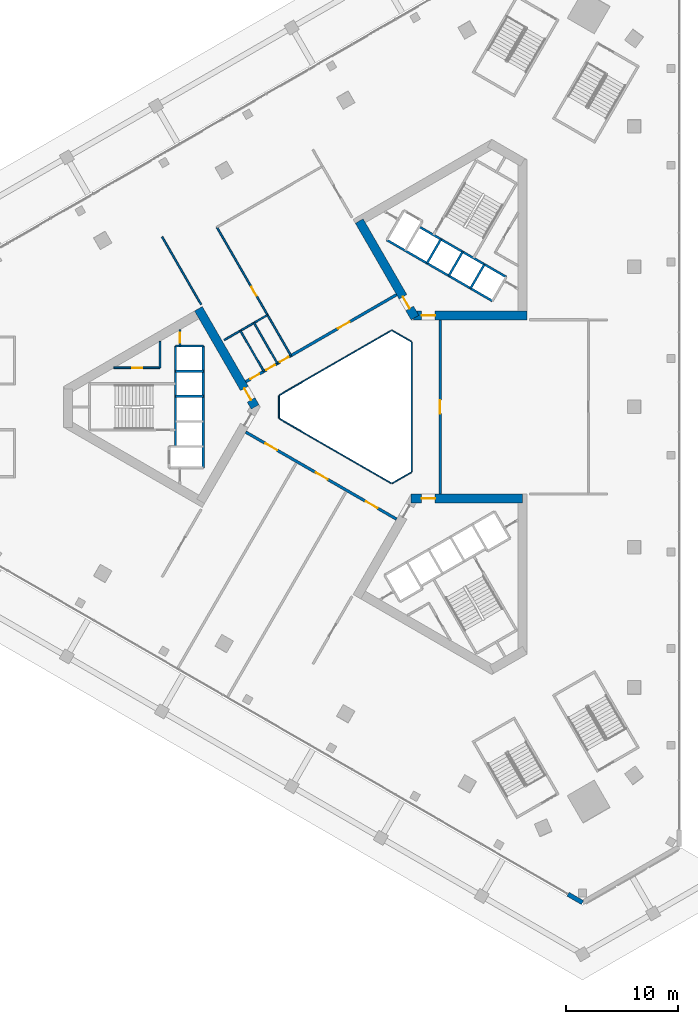
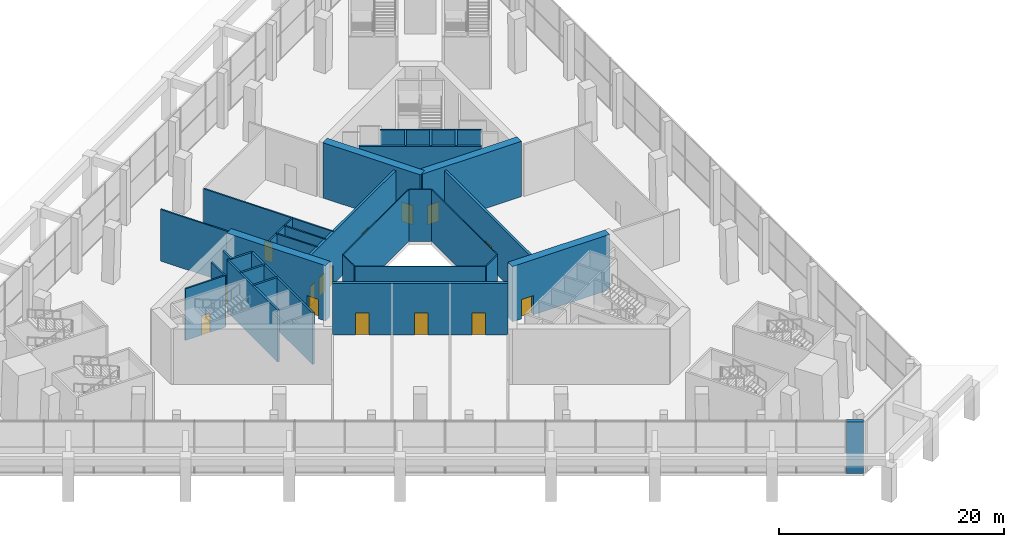
# One storey, part 27 of 51: 32 walls, 15 doors, 15 openings.
"""IFC4 building model written with IfcOpenShell, lengths in metres."""

import ifcopenshell
import ifcopenshell.guid

model = None  # the IFC model being written
_history = None  # IfcOwnerHistory: only IFC2X3 demands one
_inside = {}  # id of a spatial element -> (the spatial element, [elements in it])
_under = {}  # id of a project, library or spatial element -> (it, [spatial elements below it])
_declared = {}  # id of a project -> (the project, [libraries it declares])
_typed = {}  # id of a type object -> (the type object, [elements of that type])
_made_of = {}  # id of a material, layer set ... -> (it, [elements and type objects made of it])


def new_model(schema):
    """Start an empty IFC model of exactly this schema.

    Asked for "IFC4X3", IfcOpenShell would pick the latest addendum, in which some entities
    have other attributes; the version numbers below select the first issue.
    IFC2X3 requires an IfcOwnerHistory on every rooted entity: one is made here for all.
    """
    global model, _history
    if schema == "IFC4X3":
        model = ifcopenshell.file(schema_version=(4, 3, 0, 0))
    else:
        model = ifcopenshell.file(schema=schema)
    _inside.clear()
    _under.clear()
    _declared.clear()
    _typed.clear()
    _made_of.clear()
    _history = None
    if model.schema == "IFC2X3":
        org = make("IfcOrganization", Name="unknown")
        user = make(
            "IfcPersonAndOrganization",
            ThePerson=make("IfcPerson", FamilyName="unknown"),
            TheOrganization=org,
        )
        app = make(
            "IfcApplication",
            ApplicationDeveloper=org,
            Version="unknown",
            ApplicationFullName="unknown",
            ApplicationIdentifier="unknown",
        )
        _history = make(
            "IfcOwnerHistory",
            OwningUser=user,
            OwningApplication=app,
            ChangeAction="ADDED",
            CreationDate=0,
        )
    return model


def make(cls, **values):
    """One entity of the class cls with the attributes given. An attribute that is None is left unset."""
    return model.create_entity(
        cls, **{name: value for name, value in values.items() if value is not None}
    )


def rooted(cls, **values):
    """An entity with a GlobalId (a new one), such as an element, a storey or a relation."""
    return make(cls, GlobalId=ifcopenshell.guid.new(), OwnerHistory=_history, **values)


def si_unit(unit_type, name, prefix=None):
    """IfcSIUnit, for example si_unit("LENGTHUNIT", "METRE", prefix="MILLI")."""
    return make("IfcSIUnit", UnitType=unit_type, Prefix=prefix, Name=name)


def assignment(units):
    """IfcUnitAssignment: the units of a project."""
    return None if units is None else make("IfcUnitAssignment", Units=units)


def point(xyz):
    """IfcCartesianPoint."""
    return None if xyz is None else make("IfcCartesianPoint", Coordinates=xyz)


def direction(xyz):
    """IfcDirection."""
    return None if xyz is None else make("IfcDirection", DirectionRatios=xyz)


def frame(location, z_axis=None, x_axis=None):
    """IfcAxis2Placement3D, a coordinate frame: its origin and axes. An axis left out is left unset."""
    return make(
        "IfcAxis2Placement3D",
        Location=point(location),
        Axis=direction(z_axis),
        RefDirection=direction(x_axis),
    )


def frame_2d(location, x_axis=None):
    """IfcAxis2Placement2D, a coordinate frame in the plane: its origin and x axis."""
    return make(
        "IfcAxis2Placement2D", Location=point(location), RefDirection=direction(x_axis)
    )


def origin():
    """The frame at (0, 0, 0) with its axes left unset."""
    return frame((0.0, 0.0, 0.0))


def place(relative_to, where):
    """IfcLocalPlacement: puts the frame where relative to a parent placement (None: the world)."""
    return make(
        "IfcLocalPlacement", PlacementRelTo=relative_to, RelativePlacement=where
    )


def context(
    kind, dimensions, precision=None, world=None, true_north=None, identifier=None
):
    """IfcGeometricRepresentationContext, for example the 3D "Model" context."""
    return make(
        "IfcGeometricRepresentationContext",
        ContextIdentifier=identifier,
        ContextType=kind,
        CoordinateSpaceDimension=dimensions,
        Precision=precision,
        WorldCoordinateSystem=world,
        TrueNorth=true_north,
    )


def subcontext(parent, identifier, kind, view, scale=None):
    """IfcGeometricRepresentationSubContext, for example "Body" below "Model"."""
    return make(
        "IfcGeometricRepresentationSubContext",
        ContextIdentifier=identifier,
        ContextType=kind,
        ParentContext=parent,
        TargetScale=scale,
        TargetView=view,
    )


def project(units=None, contexts=None):
    """IfcProject with its units and contexts."""
    return rooted(
        "IfcProject",
        Name="project",
        RepresentationContexts=contexts,
        UnitsInContext=assignment(units),
    )


def spatial(cls, under=None, at=None, **own):
    """A site, building, storey or space (cls), placed at a placement, below another one or the project."""
    s = rooted(cls, ObjectPlacement=at, **own)
    if under is not None:
        _under.setdefault(under.id(), (under, []))[1].append(s)
    return s


def profile(cls, at=None, kind="AREA", **sizes):
    """A parametric profile (cls). Its sizes go by their IFC names, for example OverallWidth=200.0."""
    return make(cls, ProfileType=kind, Position=at, **sizes)


def rectangle(**sizes):
    """IfcRectangleProfileDef."""
    return profile("IfcRectangleProfileDef", **sizes)


def extrude(swept, where, along, depth):
    """IfcExtrudedAreaSolid: the profile swept, set in the frame where, extruded along a direction by depth."""
    return make(
        "IfcExtrudedAreaSolid",
        SweptArea=swept,
        Position=where,
        ExtrudedDirection=direction(along),
        Depth=depth,
    )


def shape(context_of_items, identifier, shape_type, items):
    """IfcShapeRepresentation: the items that make up one representation, for example the "Body"."""
    return make(
        "IfcShapeRepresentation",
        ContextOfItems=context_of_items,
        RepresentationIdentifier=identifier,
        RepresentationType=shape_type,
        Items=items,
    )


def material(Name=None, Category=None):
    """IfcMaterial."""
    return make("IfcMaterial", Name=Name, Category=Category)


def layer(
    of_material, thickness, ventilated=None, Name=None, Category=None, Priority=None
):
    """IfcMaterialLayer: one layer of a wall or slab, of a material (None: an air gap)."""
    return make(
        "IfcMaterialLayer",
        Material=of_material,
        LayerThickness=thickness,
        IsVentilated=ventilated,
        Name=Name,
        Category=Category,
        Priority=Priority,
    )


def layer_set(layers, Name=None):
    """IfcMaterialLayerSet."""
    return make("IfcMaterialLayerSet", MaterialLayers=layers, LayerSetName=Name)


def made_of(thing, what):
    """Note that an element or type object is made of a material, layer set ...; save() writes the relation."""
    if what is not None:
        _made_of.setdefault(what.id(), (what, []))[1].append(thing)
    return thing


def type_object(cls, material=None, **own):
    """A type object (cls), such as IfcWallType, which elements share."""
    return made_of(rooted(cls, **own), material)


def element(
    cls,
    number,
    at=None,
    inside=None,
    cuts=None,
    type_object=None,
    material=None,
    context=None,
    identifier="Body",
    shape_type=None,
    held_by="IfcProductDefinitionShape",
    body=None,
    shapes=None,
    **own,
):
    """One element of the class cls, such as IfcWall. Its Tag is "e" and its number.

    at: its placement. inside: the storey or other place that contains it. cuts: it is an
    opening in that element (IfcRelVoidsElement). A single representation is given by context,
    identifier, shape_type and body (its items); several are given by shapes. held_by: the class
    of the entity that holds the representations. save() writes the other relations.
    """
    e = rooted(cls, Tag="e%d" % number, ObjectPlacement=at, **own)
    if body is not None:
        shapes = [shape(context, identifier, shape_type, body)]
    if shapes is not None:
        e.Representation = make(held_by, Representations=shapes)
    if inside is not None:
        _inside.setdefault(inside.id(), (inside, []))[1].append(e)
    if cuts is not None:
        rooted(
            "IfcRelVoidsElement", RelatingBuildingElement=cuts, RelatedOpeningElement=e
        )
    if type_object is not None:
        _typed.setdefault(type_object.id(), (type_object, []))[1].append(e)
    return made_of(e, material)


def fill(opening, filler):
    """IfcRelFillsElement: the door or window that sits in an opening."""
    return rooted(
        "IfcRelFillsElement",
        RelatingOpeningElement=opening,
        RelatedBuildingElement=filler,
    )


def aggregate(whole, parts):
    """IfcRelAggregates: a whole, such as a stair, and the parts it consists of."""
    return rooted("IfcRelAggregates", RelatingObject=whole, RelatedObjects=parts)


def save(model, path):
    """Write the relations noted so far, then the file.

    IfcRelAggregates (storeys below a building ...), IfcRelContainedInSpatialStructure (elements
    in a storey), IfcRelDefinesByType, IfcRelAssociatesMaterial and IfcRelDeclares: one each for
    every whole, place, type object, material and project.
    """
    for whole, parts in _under.values():
        aggregate(whole, parts)
    for where, things in _inside.values():
        rooted(
            "IfcRelContainedInSpatialStructure",
            RelatedElements=things,
            RelatingStructure=where,
        )
    for kind, things in _typed.values():
        rooted("IfcRelDefinesByType", RelatedObjects=things, RelatingType=kind)
    for what, things in _made_of.values():
        rooted("IfcRelAssociatesMaterial", RelatedObjects=things, RelatingMaterial=what)
    for by, libraries in _declared.values():
        rooted("IfcRelDeclares", RelatingContext=by, RelatedDefinitions=libraries)
    model.write(path)


model = new_model("IFC4")

# Units and contexts
model_context = context("Model", 3, precision=1e-05, world=origin(), true_north=direction((0.0, 1.0)))
body_context = subcontext(model_context, "Body", "Model", "MODEL_VIEW")
ifc_project = project(units=[si_unit("LENGTHUNIT", "METRE"), si_unit("AREAUNIT", "SQUARE_METRE"), si_unit("VOLUMEUNIT", "CUBIC_METRE"), si_unit("PLANEANGLEUNIT", "RADIAN"), si_unit("MASSUNIT", "GRAM", prefix="KILO")], contexts=[model_context])

# Site, building, storey
site_placement = place(None, origin())
site = spatial("IfcSite", under=ifc_project, at=site_placement, CompositionType="ELEMENT")
building_placement = place(site_placement, origin())
building = spatial("IfcBuilding", under=site, at=building_placement, Name="Jabali Bay Hotel Tower and Convention Centre", CompositionType="ELEMENT")
storey_placement = place(building_placement, frame((0.0, 0.0, 9.0)))
storey = spatial("IfcBuildingStorey", under=building, at=storey_placement, Name="L01", CompositionType="ELEMENT", Elevation=9.0)

# Walls
ifc_material_1 = material(Name="Fire-resistant glazing", Category="glass")
ifc_layer_1 = layer(ifc_material_1, 0.10009765625)
ifc_layer_set_1 = layer_set([ifc_layer_1], Name="Fire-resistant glazing")
wall_type_1 = type_object("IfcWallType", Name="Atrium glazed screen 100", PredefinedType="PARTITIONING", material=ifc_layer_set_1)
wall_1_placement = place(storey_placement, frame((79.56005859375, 74.205810546875, 0.0), z_axis=(0.0, 0.0, 1.0), x_axis=(0.0, 1.0, 0.0)))
element("IfcWall", 1, at=wall_1_placement, inside=storey, type_object=wall_type_1, Name="Atrium screen 1 L01", PredefinedType="PARTITIONING", context=body_context, shape_type="SweptSolid", body=[
    extrude(rectangle(XDim=11.58837890625, YDim=0.10009765625, at=frame_2d((5.794189453125, 0.0))), origin(), (0.0, 0.0, 1.0), 5.60009765625),
])
wall_2_placement = place(storey_placement, frame((79.530029296875, 85.84619140625, 0.0), z_axis=(0.0, 0.0, 1.0), x_axis=(-0.866041268327, 0.499972520799, 0.0)))
element("IfcWall", 2, at=wall_2_placement, inside=storey, type_object=wall_type_1, Name="Atrium screen 2 L01", PredefinedType="PARTITIONING", context=body_context, shape_type="SweptSolid", body=[
    extrude(rectangle(XDim=2.0, YDim=0.10009765625, at=frame_2d((1.0, 0.0))), origin(), (0.0, 0.0, 1.0), 5.60009765625),
])
wall_3_placement = place(storey_placement, frame((77.738037109375, 86.84619140625, 0.0), z_axis=(0.0, 0.0, 1.0), x_axis=(-0.866026658274, -0.499997827154, 0.0)))
element("IfcWall", 3, at=wall_3_placement, inside=storey, type_object=wall_type_1, Name="Atrium screen 3 L01", PredefinedType="PARTITIONING", context=body_context, shape_type="SweptSolid", body=[
    extrude(rectangle(XDim=11.58837890625, YDim=0.10009765625, at=frame_2d((5.794189453125, 0.0))), origin(), (0.0, 0.0, 1.0), 5.60009765625),
])
wall_4_placement = place(storey_placement, frame((67.672119140625, 81.0, 0.0), z_axis=(0.0, 0.0, 1.0), x_axis=(0.0, -1.0, 0.0)))
element("IfcWall", 4, at=wall_4_placement, inside=storey, type_object=wall_type_1, Name="Atrium screen 4 L01", PredefinedType="PARTITIONING", context=body_context, shape_type="SweptSolid", body=[
    extrude(rectangle(XDim=2.0, YDim=0.10009765625, at=frame_2d((1.0, 0.0))), origin(), (0.0, 0.0, 1.0), 5.60009765625),
])
wall_5_placement = place(storey_placement, frame((67.7021484375, 78.947998046875, 0.0), z_axis=(0.0, 0.0, 1.0), x_axis=(0.866026658274, -0.499997827154, 0.0)))
element("IfcWall", 5, at=wall_5_placement, inside=storey, type_object=wall_type_1, Name="Atrium screen 5 L01", PredefinedType="PARTITIONING", context=body_context, shape_type="SweptSolid", body=[
    extrude(rectangle(XDim=11.58837890625, YDim=0.10009765625, at=frame_2d((5.794189453125, 0.0))), origin(), (0.0, 0.0, 1.0), 5.60009765625),
])
wall_6_placement = place(storey_placement, frame((77.7978515625, 73.15380859375, 0.0), z_axis=(0.0, 0.0, 1.0), x_axis=(0.866041268327, 0.499972520799, 0.0)))
element("IfcWall", 6, at=wall_6_placement, inside=storey, type_object=wall_type_1, Name="Atrium screen 6 L01", PredefinedType="PARTITIONING", context=body_context, shape_type="SweptSolid", body=[
    extrude(rectangle(XDim=2.0, YDim=0.10009765625, at=frame_2d((1.0, 0.0))), origin(), (0.0, 0.0, 1.0), 5.60009765625),
])

# Wall, opening, door
ifc_material_2 = material(Name="Concrete C40", Category="concrete")
ifc_layer_2 = layer(ifc_material_2, 0.199951171875)
ifc_layer_set_2 = layer_set([ifc_layer_2], Name="Concrete C40")
wall_type_2 = type_object("IfcWallType", Name="Core partition wall 200", PredefinedType="PARTITIONING", material=ifc_layer_set_2)
wall_7_placement = place(storey_placement, frame((58.820068359375, 86.916748046875, 0.0), z_axis=(0.0, 0.0, 1.0), x_axis=(0.0, -1.0, 0.0)))
wall_7 = element("IfcWall", 7, at=wall_7_placement, inside=storey, type_object=wall_type_2, Name="Core wall 0.11 L01", PredefinedType="PARTITIONING", context=body_context, shape_type="SweptSolid", body=[
    extrude(rectangle(XDim=1.466796875, YDim=0.199951171875, at=frame_2d((0.7333984375, 0.0))), origin(), (0.0, 0.0, 1.0), 5.60009765625),
])
opening_1_placement = place(wall_7_placement, frame((0.283447265625, 0.0, 0.0)))
opening_1 = element("IfcOpeningElement", 8, at=opening_1_placement, cuts=wall_7, Name="Opening D129", PredefinedType="OPENING", context=body_context, shape_type="SweptSolid", body=[
    extrude(rectangle(XDim=0.89990234375, YDim=2.10009765625, at=frame_2d((0.449951171875, 1.050048828125))), frame((0.0, 0.1103515625, 0.0), z_axis=(0.0, -1.0, 0.0), x_axis=(1.0, 0.0, 0.0)), (0.0, 0.0, 1.0), 0.220947265625),
])
ifc_material_3 = material(Name="Fire-rated steel door", Category="steel")
door_type_1 = type_object("IfcDoorType", Name="Vestibule fire door 900 x 2100", OperationType="NOTDEFINED", PredefinedType="NOTDEFINED", material=ifc_material_3)
door_1_placement = place(opening_1_placement, origin())
door_1 = element("IfcDoor", 9, at=door_1_placement, inside=storey, type_object=door_type_1, Name="Vestibule fire door D129", OperationType="SINGLE_SWING_LEFT", OverallHeight=2.10009765625, OverallWidth=0.89990234375, PredefinedType="NOTDEFINED", context=body_context, shape_type="SweptSolid", body=[
    extrude(rectangle(XDim=0.89990234375, YDim=2.10009765625, at=frame_2d((0.449951171875, 1.050048828125))), frame((0.0, 0.02490234375, 0.0), z_axis=(0.0, -1.0, 0.0), x_axis=(1.0, 0.0, 0.0)), (0.0, 0.0, 1.0), 0.050048828125),
])
fill(opening_1, door_1)

ifc_material_4 = material(Name="Fire-rated board partition")
ifc_layer_3 = layer(ifc_material_4, 0.14990234375)
ifc_layer_set_3 = layer_set([ifc_layer_3], Name="Fire-rated board partition")
wall_type_3 = type_object("IfcWallType", Name="Core room partition 150", PredefinedType="PARTITIONING", material=ifc_layer_set_3)
wall_8_placement = place(storey_placement, frame((57.02001953125, 83.5, 0.0), z_axis=(0.0, 0.0, 1.0), x_axis=(-1.0, 0.0, 0.0)))
wall_8 = element("IfcWall", 10, at=wall_8_placement, inside=storey, type_object=wall_type_3, Name="Core wall 0.1 L01", PredefinedType="PARTITIONING", context=body_context, shape_type="SweptSolid", body=[
    extrude(rectangle(XDim=4.117919921875, YDim=0.14990234375, at=frame_2d((2.05908203125, 0.0))), origin(), (0.0, 0.0, 1.0), 5.60009765625),
])
opening_2_placement = place(wall_8_placement, frame((1.58154296875, 0.0, 0.0)))
opening_2 = element("IfcOpeningElement", 11, at=opening_2_placement, cuts=wall_8, Name="Opening D131", PredefinedType="OPENING", context=body_context, shape_type="SweptSolid", body=[
    extrude(rectangle(XDim=0.89990234375, YDim=2.10009765625, at=frame_2d((0.449951171875, 1.050048828125))), frame((0.0, 0.08544921875, 0.0), z_axis=(0.0, -1.0, 0.0), x_axis=(1.0, 0.0, 0.0)), (0.0, 0.0, 1.0), 0.1708984375),
])
door_type_2 = type_object("IfcDoorType", Name="Core room door 900 x 2100", OperationType="NOTDEFINED", PredefinedType="NOTDEFINED", material=ifc_material_3)
door_2_placement = place(opening_2_placement, origin())
door_2 = element("IfcDoor", 12, at=door_2_placement, inside=storey, type_object=door_type_2, Name="Core room door D131", OperationType="SINGLE_SWING_LEFT", OverallHeight=2.10009765625, OverallWidth=0.89990234375, PredefinedType="NOTDEFINED", context=body_context, shape_type="SweptSolid", body=[
    extrude(rectangle(XDim=0.89990234375, YDim=2.10009765625, at=frame_2d((0.449951171875, 1.050048828125))), frame((0.0, 0.02490234375, 0.0), z_axis=(0.0, -1.0, 0.0), x_axis=(1.0, 0.0, 0.0)), (0.0, 0.0, 1.0), 0.050048828125),
])
fill(opening_2, door_2)

# Walls
wall_9_placement = place(storey_placement, frame((57.02001953125, 85.87744140625, 0.0), z_axis=(0.0, 0.0, 1.0), x_axis=(0.0, -1.0, 0.0)))
element("IfcWall", 13, at=wall_9_placement, inside=storey, type_object=wall_type_3, Name="Core wall 0.15 L01", PredefinedType="PARTITIONING", context=body_context, shape_type="SweptSolid", body=[
    extrude(rectangle(XDim=2.37744140625, YDim=0.14990234375, at=frame_2d((1.188720703125, 0.0))), origin(), (0.0, 0.0, 1.0), 5.60009765625),
])
ifc_layer_4 = layer(ifc_material_2, 0.199951171875)
ifc_layer_set_4 = layer_set([ifc_layer_4], Name="Concrete C40")
wall_type_4 = type_object("IfcWallType", Name="Core stair wall 200", PredefinedType="SOLIDWALL", material=ifc_layer_set_4)
for number, where, z_axis, x_axis, name in (
    (14, (60.89990234375, 85.449951171875, 0.0), (0.0, 0.0, 1.0), (-1.0, 0.0, 0.0), "Core wall 0.0 L01"),
    (15, (60.89990234375, 83.199951171875, 0.0), (0.0, 0.0, 1.0), (-1.0, 0.0, 0.0), "Core wall 0.2 L01"),
    (16, (60.89990234375, 80.949951171875, 0.0), (0.0, 0.0, 1.0), (-1.0, 0.0, 0.0), "Core wall 0.4 L01"),
):
    element("IfcWall", number, at=place(storey_placement, frame(where, z_axis=z_axis, x_axis=x_axis)), inside=storey, type_object=wall_type_4, Name=name, PredefinedType="SOLIDWALL", context=body_context, shape_type="SweptSolid", body=[
        extrude(rectangle(XDim=2.47998046875, YDim=0.199951171875, at=frame_2d((1.239990234375, 0.0))), origin(), (0.0, 0.0, 1.0), 5.60009765625),
    ])
wall_10_placement = place(storey_placement, frame((60.89990234375, 85.449951171875, 0.0), z_axis=(0.0, 0.0, 1.0), x_axis=(0.0, -1.0, 0.0)))
element("IfcWall", 17, at=wall_10_placement, inside=storey, type_object=wall_type_4, Name="Core wall 0.10 L01", PredefinedType="SOLIDWALL", context=body_context, shape_type="SweptSolid", body=[
    extrude(rectangle(XDim=10.89990234375, YDim=0.199951171875, at=frame_2d((5.449951171875, 0.0))), origin(), (0.0, 0.0, 1.0), 5.60009765625),
])
wall_11_placement = place(storey_placement, frame((58.419921875, 85.449951171875, 0.0), z_axis=(0.0, 0.0, 1.0), x_axis=(0.0, -1.0, 0.0)))
element("IfcWall", 18, at=wall_11_placement, inside=storey, type_object=wall_type_4, Name="Core wall 0.13 L01", PredefinedType="SOLIDWALL", context=body_context, shape_type="SweptSolid", body=[
    extrude(rectangle(XDim=9.0, YDim=0.199951171875, at=frame_2d((4.5, 0.0))), origin(), (0.0, 0.0, 1.0), 5.60009765625),
])
for number, where, z_axis, x_axis, name in (
    (19, (84.8212890625, 90.61083984375, 0.0), (0.0, 0.0, 1.0), (0.499961042966, 0.86604789447, 0.0), "Core wall 1.2 L01"),
    (20, (82.872802734375, 91.73583984375, 0.0), (0.0, 0.0, 1.0), (0.499961042966, 0.86604789447, 0.0), "Core wall 1.4 L01"),
    (21, (80.924072265625, 92.86083984375, 0.0), (0.0, 0.0, 1.0), (0.499961042966, 0.86604789447, 0.0), "Core wall 1.6 L01"),
):
    element("IfcWall", number, at=place(storey_placement, frame(where, z_axis=z_axis, x_axis=x_axis)), inside=storey, type_object=wall_type_4, Name=name, PredefinedType="SOLIDWALL", context=body_context, shape_type="SweptSolid", body=[
        extrude(rectangle(XDim=2.480224609375, YDim=0.199951171875, at=frame_2d((1.240234375, 0.0))), origin(), (0.0, 0.0, 1.0), 5.60009765625),
    ])
wall_12_placement = place(storey_placement, frame((86.769775390625, 89.48583984375, 0.0), z_axis=(0.0, 0.0, 1.0), x_axis=(-0.86601811187, 0.500012629753, 0.0)))
element("IfcWall", 22, at=wall_12_placement, inside=storey, type_object=wall_type_4, Name="Core wall 1.10 L01", PredefinedType="SOLIDWALL", context=body_context, shape_type="SweptSolid", body=[
    extrude(rectangle(XDim=10.900146484375, YDim=0.199951171875, at=frame_2d((5.4501953125, 0.0))), origin(), (0.0, 0.0, 1.0), 5.60009765625),
])
wall_13_placement = place(storey_placement, frame((88.009765625, 91.6337890625, 0.0), z_axis=(0.0, 0.0, 1.0), x_axis=(-0.866024315419, 0.5000018851, 0.0)))
element("IfcWall", 23, at=wall_13_placement, inside=storey, type_object=wall_type_4, Name="Core wall 1.13 L01", PredefinedType="SOLIDWALL", context=body_context, shape_type="SweptSolid", body=[
    extrude(rectangle(XDim=9.0, YDim=0.199951171875, at=frame_2d((4.5, 0.0))), origin(), (0.0, 0.0, 1.0), 5.60009765625),
])

# Wall, opening, door
ifc_material_5 = material(Name="Concrete C60", Category="concrete")
ifc_layer_5 = layer(ifc_material_5, 0.800048828125)
ifc_layer_set_5 = layer_set([ifc_layer_5], Name="Concrete C60")
wall_type_5 = type_object("IfcWallType", Name="Core wall 800", PredefinedType="SHEAR", material=ifc_layer_set_5)
wall_14_placement = place(storey_placement, frame((65.5380859375, 80.0, 0.0), z_axis=(0.0, 0.0, 1.0), x_axis=(-0.49999662545, 0.866027352073, 0.0)))
wall_14 = element("IfcWall", 24, at=wall_14_placement, inside=storey, type_object=wall_type_5, Name="Core wall 1.1 L01", PredefinedType="SHEAR", context=body_context, shape_type="SweptSolid", body=[
    extrude(rectangle(XDim=10.14892578125, YDim=0.800048828125, at=frame_2d((5.074462890625, 0.0))), origin(), (0.0, 0.0, 1.0), 6.0),
])
opening_3_placement = place(wall_14_placement, frame((0.718994140625, 0.0, 0.0)))
opening_3 = element("IfcOpeningElement", 25, at=opening_3_placement, cuts=wall_14, Name="Opening D126", PredefinedType="OPENING", context=body_context, shape_type="SweptSolid", body=[
    extrude(rectangle(XDim=1.199951171875, YDim=2.10009765625, at=frame_2d((0.60009765625, 1.050048828125))), frame((0.0, 0.41064453125, 0.0), z_axis=(0.0, -1.0, 0.0), x_axis=(1.0, 0.0, 0.0)), (0.0, 0.0, 1.0), 0.821044921875),
])
door_type_3 = type_object("IfcDoorType", Name="Corridor end fire door 1200 x 2100", OperationType="NOTDEFINED", PredefinedType="NOTDEFINED", material=ifc_material_3)
door_3_placement = place(opening_3_placement, origin())
door_3 = element("IfcDoor", 26, at=door_3_placement, inside=storey, type_object=door_type_3, Name="Corridor end fire door D126", OperationType="SINGLE_SWING_RIGHT", OverallHeight=2.10009765625, OverallWidth=1.199951171875, PredefinedType="NOTDEFINED", context=body_context, shape_type="SweptSolid", body=[
    extrude(rectangle(XDim=1.199951171875, YDim=2.10009765625, at=frame_2d((0.60009765625, 1.050048828125))), frame((0.0, 0.02490234375, 0.0), z_axis=(0.0, -1.0, 0.0), x_axis=(1.0, 0.0, 0.0)), (0.0, 0.0, 1.0), 0.050048828125),
])
fill(opening_3, door_3)

wall_15_placement = place(storey_placement, frame((79.73095703125, 88.1943359375, 0.0), z_axis=(0.0, 0.0, 1.0), x_axis=(1.0, 0.0, 0.0)))
wall_15 = element("IfcWall", 27, at=wall_15_placement, inside=storey, type_object=wall_type_5, Name="Core wall 2.1 L01", PredefinedType="SHEAR", context=body_context, shape_type="SweptSolid", body=[
    extrude(rectangle(XDim=10.14892578125, YDim=0.800048828125, at=frame_2d((5.074462890625, 0.0))), origin(), (0.0, 0.0, 1.0), 6.0),
])
opening_4_placement = place(wall_15_placement, frame((0.718994140625, 0.0, 0.0)))
opening_4 = element("IfcOpeningElement", 28, at=opening_4_placement, cuts=wall_15, Name="Opening D132", PredefinedType="OPENING", context=body_context, shape_type="SweptSolid", body=[
    extrude(rectangle(XDim=1.199951171875, YDim=2.10009765625, at=frame_2d((0.60009765625, 1.050048828125))), frame((0.0, 0.41064453125, 0.0), z_axis=(0.0, -1.0, 0.0), x_axis=(1.0, 0.0, 0.0)), (0.0, 0.0, 1.0), 0.821044921875),
])
door_4_placement = place(opening_4_placement, origin())
door_4 = element("IfcDoor", 29, at=door_4_placement, inside=storey, type_object=door_type_3, Name="Corridor end fire door D132", OperationType="SINGLE_SWING_RIGHT", OverallHeight=2.10009765625, OverallWidth=1.199951171875, PredefinedType="NOTDEFINED", context=body_context, shape_type="SweptSolid", body=[
    extrude(rectangle(XDim=1.199951171875, YDim=2.10009765625, at=frame_2d((0.60009765625, 1.050048828125))), frame((0.0, 0.02490234375, 0.0), z_axis=(0.0, -1.0, 0.0), x_axis=(1.0, 0.0, 0.0)), (0.0, 0.0, 1.0), 0.050048828125),
])
fill(opening_4, door_4)

wall_16_placement = place(storey_placement, frame((74.8564453125, 96.63720703125, 0.0), z_axis=(0.0, 0.0, 1.0), x_axis=(0.499993500917, -0.866029155999, 0.0)))
wall_16 = element("IfcWall", 30, at=wall_16_placement, inside=storey, type_object=wall_type_5, Name="Core wall 2.5 L01", PredefinedType="SHEAR", context=body_context, shape_type="SweptSolid", body=[
    extrude(rectangle(XDim=9.980224609375, YDim=0.800048828125, at=frame_2d((4.990234375, 0.0))), origin(), (0.0, 0.0, 1.0), 6.0),
])
opening_5_placement = place(wall_16_placement, frame((7.830078125, 0.0, 0.0)))
opening_5 = element("IfcOpeningElement", 31, at=opening_5_placement, cuts=wall_16, Name="Opening D133", PredefinedType="OPENING", context=body_context, shape_type="SweptSolid", body=[
    extrude(rectangle(XDim=1.199951171875, YDim=2.10009765625, at=frame_2d((0.60009765625, 1.050048828125))), frame((0.0, 0.41064453125, 0.0), z_axis=(0.0, -1.0, 0.0), x_axis=(1.0, 0.0, 0.0)), (0.0, 0.0, 1.0), 0.821044921875),
])
door_5_placement = place(opening_5_placement, origin())
door_5 = element("IfcDoor", 32, at=door_5_placement, inside=storey, type_object=door_type_3, Name="Corridor end fire door D133", OperationType="SINGLE_SWING_LEFT", OverallHeight=2.10009765625, OverallWidth=1.199951171875, PredefinedType="NOTDEFINED", context=body_context, shape_type="SweptSolid", body=[
    extrude(rectangle(XDim=1.199951171875, YDim=2.10009765625, at=frame_2d((0.60009765625, 1.050048828125))), frame((0.0, 0.02490234375, 0.0), z_axis=(0.0, -1.0, 0.0), x_axis=(1.0, 0.0, 0.0)), (0.0, 0.0, 1.0), 0.050048828125),
])
fill(opening_5, door_5)

wall_17_placement = place(storey_placement, frame((89.47998046875, 71.8056640625, 0.0), z_axis=(0.0, 0.0, 1.0), x_axis=(-1.0, 0.0, 0.0)))
wall_17 = element("IfcWall", 33, at=wall_17_placement, inside=storey, type_object=wall_type_5, Name="Core wall 3.5 L01", PredefinedType="SHEAR", context=body_context, shape_type="SweptSolid", body=[
    extrude(rectangle(XDim=9.97998046875, YDim=0.800048828125, at=frame_2d((4.989990234375, 0.0))), origin(), (0.0, 0.0, 1.0), 6.0),
])
opening_6_placement = place(wall_17_placement, frame((7.830078125, 0.0, 0.0)))
opening_6 = element("IfcOpeningElement", 34, at=opening_6_placement, cuts=wall_17, Name="Opening D139", PredefinedType="OPENING", context=body_context, shape_type="SweptSolid", body=[
    extrude(rectangle(XDim=1.199951171875, YDim=2.10009765625, at=frame_2d((0.60009765625, 1.050048828125))), frame((0.0, 0.41064453125, 0.0), z_axis=(0.0, -1.0, 0.0), x_axis=(1.0, 0.0, 0.0)), (0.0, 0.0, 1.0), 0.821044921875),
])
door_6_placement = place(opening_6_placement, origin())
door_6 = element("IfcDoor", 35, at=door_6_placement, inside=storey, type_object=door_type_3, Name="Corridor end fire door D139", OperationType="SINGLE_SWING_LEFT", OverallHeight=2.10009765625, OverallWidth=1.199951171875, PredefinedType="NOTDEFINED", context=body_context, shape_type="SweptSolid", body=[
    extrude(rectangle(XDim=1.199951171875, YDim=2.10009765625, at=frame_2d((0.60009765625, 1.050048828125))), frame((0.0, 0.02490234375, 0.0), z_axis=(0.0, -1.0, 0.0), x_axis=(1.0, 0.0, 0.0)), (0.0, 0.0, 1.0), 0.050048828125),
])
fill(opening_6, door_6)

ifc_layer_6 = layer(ifc_material_5, 0.25)
ifc_layer_set_6 = layer_set([ifc_layer_6], Name="Concrete C60")
wall_type_6 = type_object("IfcWallType", Name="Corridor wall 250", PredefinedType="SHEAR", material=ifc_layer_set_6)
wall_18_placement = place(storey_placement, frame((82.10009765625, 72.205810546875, 0.0), z_axis=(0.0, 0.0, 1.0), x_axis=(0.0, 1.0, 0.0)))
wall_18 = element("IfcWall", 36, at=wall_18_placement, inside=storey, type_object=wall_type_6, Name="Corridor wall 1 L01", PredefinedType="SHEAR", context=body_context, shape_type="SweptSolid", body=[
    extrude(rectangle(XDim=15.58837890625, YDim=0.25, at=frame_2d((7.794189453125, 0.0))), origin(), (0.0, 0.0, 1.0), 5.60009765625),
])
opening_7_placement = place(wall_18_placement, frame((7.194091796875, 0.0, 0.0)))
opening_7 = element("IfcOpeningElement", 37, at=opening_7_placement, cuts=wall_18, Name="Opening 0101", PredefinedType="OPENING", context=body_context, shape_type="SweptSolid", body=[
    extrude(rectangle(XDim=1.199951171875, YDim=2.39990234375, at=frame_2d((0.60009765625, 1.199951171875))), frame((0.0, 0.135498046875, 0.0), z_axis=(0.0, -1.0, 0.0), x_axis=(1.0, 0.0, 0.0)), (0.0, 0.0, 1.0), 0.27099609375),
])
ifc_material_6 = material(Name="Timber", Category="wood")
door_type_4 = type_object("IfcDoorType", Name="Public room door 1200 x 2400", OperationType="NOTDEFINED", PredefinedType="NOTDEFINED", material=ifc_material_6)
door_7_placement = place(opening_7_placement, origin())
door_7 = element("IfcDoor", 38, at=door_7_placement, inside=storey, type_object=door_type_4, Name="Door 0101", OperationType="SINGLE_SWING_RIGHT", OverallHeight=2.39990234375, OverallWidth=1.199951171875, PredefinedType="NOTDEFINED", context=body_context, shape_type="SweptSolid", body=[
    extrude(rectangle(XDim=1.199951171875, YDim=2.39990234375, at=frame_2d((0.60009765625, 1.199951171875))), frame((0.0, 0.02490234375, 0.0), z_axis=(0.0, -1.0, 0.0), x_axis=(1.0, 0.0, 0.0)), (0.0, 0.0, 1.0), 0.050048828125),
])
fill(opening_7, door_7)

# Wall, openings, doors
wall_19_placement = place(storey_placement, frame((78.199951171875, 90.0458984375, 0.0), z_axis=(0.0, 0.0, 1.0), x_axis=(-0.866026492143, -0.499998114903, 0.0)))
wall_19 = element("IfcWall", 39, at=wall_19_placement, inside=storey, type_object=wall_type_6, Name="Corridor wall 2 L01", PredefinedType="SHEAR", context=body_context, shape_type="SweptSolid", body=[
    extrude(rectangle(XDim=15.58837890625, YDim=0.25, at=frame_2d((7.794189453125, 0.0))), origin(), (0.0, 0.0, 1.0), 5.60009765625),
])
opening_8_placement = place(wall_19_placement, frame((4.85595703125, 0.0, 0.0)))
opening_8 = element("IfcOpeningElement", 40, at=opening_8_placement, cuts=wall_19, Name="Opening 0103", PredefinedType="OPENING", context=body_context, shape_type="SweptSolid", body=[
    extrude(rectangle(XDim=1.199951171875, YDim=2.39990234375, at=frame_2d((0.60009765625, 1.199951171875))), frame((0.0, 0.135498046875, 0.0), z_axis=(0.0, -1.0, 0.0), x_axis=(1.0, 0.0, 0.0)), (0.0, 0.0, 1.0), 0.27099609375),
])
opening_9_placement = place(wall_19_placement, frame((11.163330078125, 0.0, 0.0)))
opening_9 = element("IfcOpeningElement", 41, at=opening_9_placement, cuts=wall_19, Name="Opening 0105", PredefinedType="OPENING", context=body_context, shape_type="SweptSolid", body=[
    extrude(rectangle(XDim=0.89990234375, YDim=2.10009765625, at=frame_2d((0.449951171875, 1.050048828125))), frame((0.0, 0.135498046875, 0.0), z_axis=(0.0, -1.0, 0.0), x_axis=(1.0, 0.0, 0.0)), (0.0, 0.0, 1.0), 0.27099609375),
])
opening_10_placement = place(wall_19_placement, frame((12.56640625, 0.0, 0.0)))
opening_10 = element("IfcOpeningElement", 42, at=opening_10_placement, cuts=wall_19, Name="Opening 0106", PredefinedType="OPENING", context=body_context, shape_type="SweptSolid", body=[
    extrude(rectangle(XDim=0.89990234375, YDim=2.10009765625, at=frame_2d((0.449951171875, 1.050048828125))), frame((0.0, 0.135498046875, 0.0), z_axis=(0.0, -1.0, 0.0), x_axis=(1.0, 0.0, 0.0)), (0.0, 0.0, 1.0), 0.27099609375),
])
opening_11_placement = place(wall_19_placement, frame((14.203125, 0.0, 0.0)))
opening_11 = element("IfcOpeningElement", 43, at=opening_11_placement, cuts=wall_19, Name="Opening 0107", PredefinedType="OPENING", context=body_context, shape_type="SweptSolid", body=[
    extrude(rectangle(XDim=0.89990234375, YDim=2.10009765625, at=frame_2d((0.449951171875, 1.050048828125))), frame((0.0, 0.135498046875, 0.0), z_axis=(0.0, -1.0, 0.0), x_axis=(1.0, 0.0, 0.0)), (0.0, 0.0, 1.0), 0.27099609375),
])
door_type_5 = type_object("IfcDoorType", Name="Accessible en-suite door 900 x 2100", OperationType="NOTDEFINED", PredefinedType="NOTDEFINED", material=ifc_material_6)
door_8_placement = place(opening_11_placement, origin())
door_8 = element("IfcDoor", 44, at=door_8_placement, inside=storey, type_object=door_type_5, Name="Door 0107", OperationType="SINGLE_SWING_RIGHT", OverallHeight=2.10009765625, OverallWidth=0.89990234375, PredefinedType="NOTDEFINED", context=body_context, shape_type="SweptSolid", body=[
    extrude(rectangle(XDim=0.89990234375, YDim=2.10009765625, at=frame_2d((0.449951171875, 1.050048828125))), frame((0.0, 0.02490234375, 0.0), z_axis=(0.0, -1.0, 0.0), x_axis=(1.0, 0.0, 0.0)), (0.0, 0.0, 1.0), 0.050048828125),
])
fill(opening_11, door_8)
door_type_6 = type_object("IfcDoorType", Name="Internal door 900 x 2100", OperationType="NOTDEFINED", PredefinedType="NOTDEFINED", material=ifc_material_6)
door_9_placement = place(opening_9_placement, origin())
door_9 = element("IfcDoor", 45, at=door_9_placement, inside=storey, type_object=door_type_6, Name="Door 0105", OperationType="SINGLE_SWING_RIGHT", OverallHeight=2.10009765625, OverallWidth=0.89990234375, PredefinedType="NOTDEFINED", context=body_context, shape_type="SweptSolid", body=[
    extrude(rectangle(XDim=0.89990234375, YDim=2.10009765625, at=frame_2d((0.449951171875, 1.050048828125))), frame((0.0, 0.02490234375, 0.0), z_axis=(0.0, -1.0, 0.0), x_axis=(1.0, 0.0, 0.0)), (0.0, 0.0, 1.0), 0.050048828125),
])
fill(opening_9, door_9)
door_10_placement = place(opening_10_placement, origin())
door_10 = element("IfcDoor", 46, at=door_10_placement, inside=storey, type_object=door_type_6, Name="Door 0106", OperationType="SINGLE_SWING_RIGHT", OverallHeight=2.10009765625, OverallWidth=0.89990234375, PredefinedType="NOTDEFINED", context=body_context, shape_type="SweptSolid", body=[
    extrude(rectangle(XDim=0.89990234375, YDim=2.10009765625, at=frame_2d((0.449951171875, 1.050048828125))), frame((0.0, 0.02490234375, 0.0), z_axis=(0.0, -1.0, 0.0), x_axis=(1.0, 0.0, 0.0)), (0.0, 0.0, 1.0), 0.050048828125),
])
fill(opening_10, door_10)
door_11_placement = place(opening_8_placement, origin())
door_11 = element("IfcDoor", 47, at=door_11_placement, inside=storey, type_object=door_type_4, Name="Door 0103", OperationType="SINGLE_SWING_LEFT", OverallHeight=2.39990234375, OverallWidth=1.199951171875, PredefinedType="NOTDEFINED", context=body_context, shape_type="SweptSolid", body=[
    extrude(rectangle(XDim=1.199951171875, YDim=2.39990234375, at=frame_2d((0.60009765625, 1.199951171875))), frame((0.0, 0.02490234375, 0.0), z_axis=(0.0, -1.0, 0.0), x_axis=(1.0, 0.0, 0.0)), (0.0, 0.0, 1.0), 0.050048828125),
])
fill(opening_8, door_11)

wall_20_placement = place(storey_placement, frame((64.699951171875, 77.748291015625, 0.0), z_axis=(0.0, 0.0, 1.0), x_axis=(0.866026492143, -0.499998114903, 0.0)))
wall_20 = element("IfcWall", 48, at=wall_20_placement, inside=storey, type_object=wall_type_6, Name="Corridor wall 3 L01", PredefinedType="SHEAR", context=body_context, shape_type="SweptSolid", body=[
    extrude(rectangle(XDim=15.58837890625, YDim=0.25, at=frame_2d((7.794189453125, 0.0))), origin(), (0.0, 0.0, 1.0), 5.60009765625),
])
opening_12_placement = place(wall_20_placement, frame((2.050048828125, 0.0, 0.0)))
opening_12 = element("IfcOpeningElement", 49, at=opening_12_placement, cuts=wall_20, Name="Opening 0108", PredefinedType="OPENING", context=body_context, shape_type="SweptSolid", body=[
    extrude(rectangle(XDim=1.199951171875, YDim=2.39990234375, at=frame_2d((0.60009765625, 1.199951171875))), frame((0.0, 0.135498046875, 0.0), z_axis=(0.0, -1.0, 0.0), x_axis=(1.0, 0.0, 0.0)), (0.0, 0.0, 1.0), 0.27099609375),
])
opening_13_placement = place(wall_20_placement, frame((7.272216796875, 0.0, 0.0)))
opening_13 = element("IfcOpeningElement", 50, at=opening_13_placement, cuts=wall_20, Name="Opening 0109", PredefinedType="OPENING", context=body_context, shape_type="SweptSolid", body=[
    extrude(rectangle(XDim=1.199951171875, YDim=2.39990234375, at=frame_2d((0.60009765625, 1.199951171875))), frame((0.0, 0.135498046875, 0.0), z_axis=(0.0, -1.0, 0.0), x_axis=(1.0, 0.0, 0.0)), (0.0, 0.0, 1.0), 0.27099609375),
])
opening_14_placement = place(wall_20_placement, frame((12.41650390625, 0.0, 0.0)))
opening_14 = element("IfcOpeningElement", 51, at=opening_14_placement, cuts=wall_20, Name="Opening 0110", PredefinedType="OPENING", context=body_context, shape_type="SweptSolid", body=[
    extrude(rectangle(XDim=1.199951171875, YDim=2.39990234375, at=frame_2d((0.60009765625, 1.199951171875))), frame((0.0, 0.135498046875, 0.0), z_axis=(0.0, -1.0, 0.0), x_axis=(1.0, 0.0, 0.0)), (0.0, 0.0, 1.0), 0.27099609375),
])
door_12_placement = place(opening_12_placement, origin())
door_12 = element("IfcDoor", 52, at=door_12_placement, inside=storey, type_object=door_type_4, Name="Door 0108", OperationType="SINGLE_SWING_LEFT", OverallHeight=2.39990234375, OverallWidth=1.199951171875, PredefinedType="NOTDEFINED", context=body_context, shape_type="SweptSolid", body=[
    extrude(rectangle(XDim=1.199951171875, YDim=2.39990234375, at=frame_2d((0.60009765625, 1.199951171875))), frame((0.0, 0.02490234375, 0.0), z_axis=(0.0, -1.0, 0.0), x_axis=(1.0, 0.0, 0.0)), (0.0, 0.0, 1.0), 0.050048828125),
])
fill(opening_12, door_12)
door_13_placement = place(opening_13_placement, origin())
door_13 = element("IfcDoor", 53, at=door_13_placement, inside=storey, type_object=door_type_4, Name="Door 0109", OperationType="SINGLE_SWING_RIGHT", OverallHeight=2.39990234375, OverallWidth=1.199951171875, PredefinedType="NOTDEFINED", context=body_context, shape_type="SweptSolid", body=[
    extrude(rectangle(XDim=1.199951171875, YDim=2.39990234375, at=frame_2d((0.60009765625, 1.199951171875))), frame((0.0, 0.02490234375, 0.0), z_axis=(0.0, -1.0, 0.0), x_axis=(1.0, 0.0, 0.0)), (0.0, 0.0, 1.0), 0.050048828125),
])
fill(opening_13, door_13)
door_14_placement = place(opening_14_placement, origin())
door_14 = element("IfcDoor", 54, at=door_14_placement, inside=storey, type_object=door_type_4, Name="Door 0110", OperationType="SINGLE_SWING_RIGHT", OverallHeight=2.39990234375, OverallWidth=1.199951171875, PredefinedType="NOTDEFINED", context=body_context, shape_type="SweptSolid", body=[
    extrude(rectangle(XDim=1.199951171875, YDim=2.39990234375, at=frame_2d((0.60009765625, 1.199951171875))), frame((0.0, 0.02490234375, 0.0), z_axis=(0.0, -1.0, 0.0), x_axis=(1.0, 0.0, 0.0)), (0.0, 0.0, 1.0), 0.050048828125),
])
fill(opening_14, door_14)

# Wall, opening, door
ifc_material_7 = material(Name="Plasterboard on steel stud", Category="steel")
ifc_layer_7 = layer(ifc_material_7, 0.14990234375)
ifc_layer_set_7 = layer_set([ifc_layer_7], Name="Plasterboard on steel stud")
wall_type_7 = type_object("IfcWallType", Name="Partition 150 wet", PredefinedType="PARTITIONING", material=ifc_layer_set_7)
wall_21_placement = place(storey_placement, frame((62.116943359375, 96.080810546875, 0.0), z_axis=(0.0, 0.0, 1.0), x_axis=(0.49992899291, -0.866066395866, 0.0)))
wall_21 = element("IfcWall", 55, at=wall_21_placement, inside=storey, type_object=wall_type_7, Name="Partition P03 L01 007", PredefinedType="PARTITIONING", context=body_context, shape_type="SweptSolid", body=[
    extrude(rectangle(XDim=13.26806640625, YDim=0.14990234375, at=frame_2d((6.634033203125, 0.0))), origin(), (0.0, 0.0, 1.0), 5.60009765625),
])
opening_15_placement = place(wall_21_placement, frame((6.18408203125, 0.0, 0.0)))
opening_15 = element("IfcOpeningElement", 56, at=opening_15_placement, cuts=wall_21, Name="Opening 0104", PredefinedType="OPENING", context=body_context, shape_type="SweptSolid", body=[
    extrude(rectangle(XDim=0.89990234375, YDim=2.10009765625, at=frame_2d((0.449951171875, 1.050048828125))), frame((0.0, 0.08544921875, 0.0), z_axis=(0.0, -1.0, 0.0), x_axis=(1.0, 0.0, 0.0)), (0.0, 0.0, 1.0), 0.1708984375),
])
door_15_placement = place(opening_15_placement, origin())
door_15 = element("IfcDoor", 57, at=door_15_placement, inside=storey, type_object=door_type_6, Name="Door 0104", OperationType="SINGLE_SWING_RIGHT", OverallHeight=2.10009765625, OverallWidth=0.89990234375, PredefinedType="NOTDEFINED", context=body_context, shape_type="SweptSolid", body=[
    extrude(rectangle(XDim=0.89990234375, YDim=2.10009765625, at=frame_2d((0.449951171875, 1.050048828125))), frame((0.0, 0.02490234375, 0.0), z_axis=(0.0, -1.0, 0.0), x_axis=(1.0, 0.0, 0.0)), (0.0, 0.0, 1.0), 0.050048828125),
])
fill(opening_15, door_15)

# Walls
wall_22_placement = place(storey_placement, frame((62.7724609375, 85.988525390625, 0.0), z_axis=(0.0, 0.0, 1.0), x_axis=(0.866013054227, 0.500021389451, 0.0)))
element("IfcWall", 58, at=wall_22_placement, inside=storey, type_object=wall_type_7, Name="Partition P03 L01 009", PredefinedType="PARTITIONING", context=body_context, shape_type="SweptSolid", body=[
    extrude(rectangle(XDim=4.477294921875, YDim=0.14990234375, at=frame_2d((2.23876953125, 0.0))), origin(), (0.0, 0.0, 1.0), 5.60009765625),
])
wall_23_placement = place(storey_placement, frame((57.213134765625, 95.219482421875, 0.0), z_axis=(0.0, 0.0, 1.0), x_axis=(0.499979261727, -0.866037376701, 0.0)))
element("IfcWall", 59, at=wall_23_placement, inside=storey, type_object=wall_type_7, Name="Partition P03 L01 010", PredefinedType="PARTITIONING", context=body_context, shape_type="SweptSolid", body=[
    extrude(rectangle(XDim=6.994873046875, YDim=0.14990234375, at=frame_2d((3.49755859375, 0.0))), origin(), (0.0, 0.0, 1.0), 5.60009765625),
])
for number, where, z_axis, x_axis, name in (
    (60, (65.43505859375, 87.52587890625, 0.0), (0.0, 0.0, 1.0), (0.499958946799, -0.866049104564, 0.0), "Partition P03 L01 012"),
    (61, (64.219970703125, 86.82421875, 0.0), (0.0, 0.0, 1.0), (0.500027713859, -0.866009402589, 0.0), "Partition P03 L01 013"),
):
    element("IfcWall", number, at=place(storey_placement, frame(where, z_axis=z_axis, x_axis=x_axis)), inside=storey, type_object=wall_type_7, Name=name, PredefinedType="PARTITIONING", context=body_context, shape_type="SweptSolid", body=[
        extrude(rectangle(XDim=4.199951171875, YDim=0.14990234375, at=frame_2d((2.10009765625, 0.0))), origin(), (0.0, 0.0, 1.0), 5.60009765625),
    ])
ifc_layer_8 = layer(ifc_material_2, 0.39990234375)
ifc_layer_set_8 = layer_set([ifc_layer_8], Name="Concrete C40")
wall_type_8 = type_object("IfcWallType", Name="Podium external wall 400", PredefinedType="SOLIDWALL", material=ifc_layer_set_8)
wall_24_placement = place(storey_placement, frame((94.83984375, 35.636474609375, 0.0), z_axis=(0.0, 0.0, 1.0), x_axis=(-0.866031096941, 0.499990139034, 0.0)))
element("IfcWall", 62, at=wall_24_placement, inside=storey, type_object=wall_type_8, Name="External wall south-west face L01", PredefinedType="SOLIDWALL", context=body_context, shape_type="SweptSolid", body=[
    extrude(rectangle(XDim=1.5, YDim=0.39990234375, at=frame_2d((0.75, 0.0))), origin(), (0.0, 0.0, 1.0), 5.60009765625),
])

save(model, "model.ifc")
